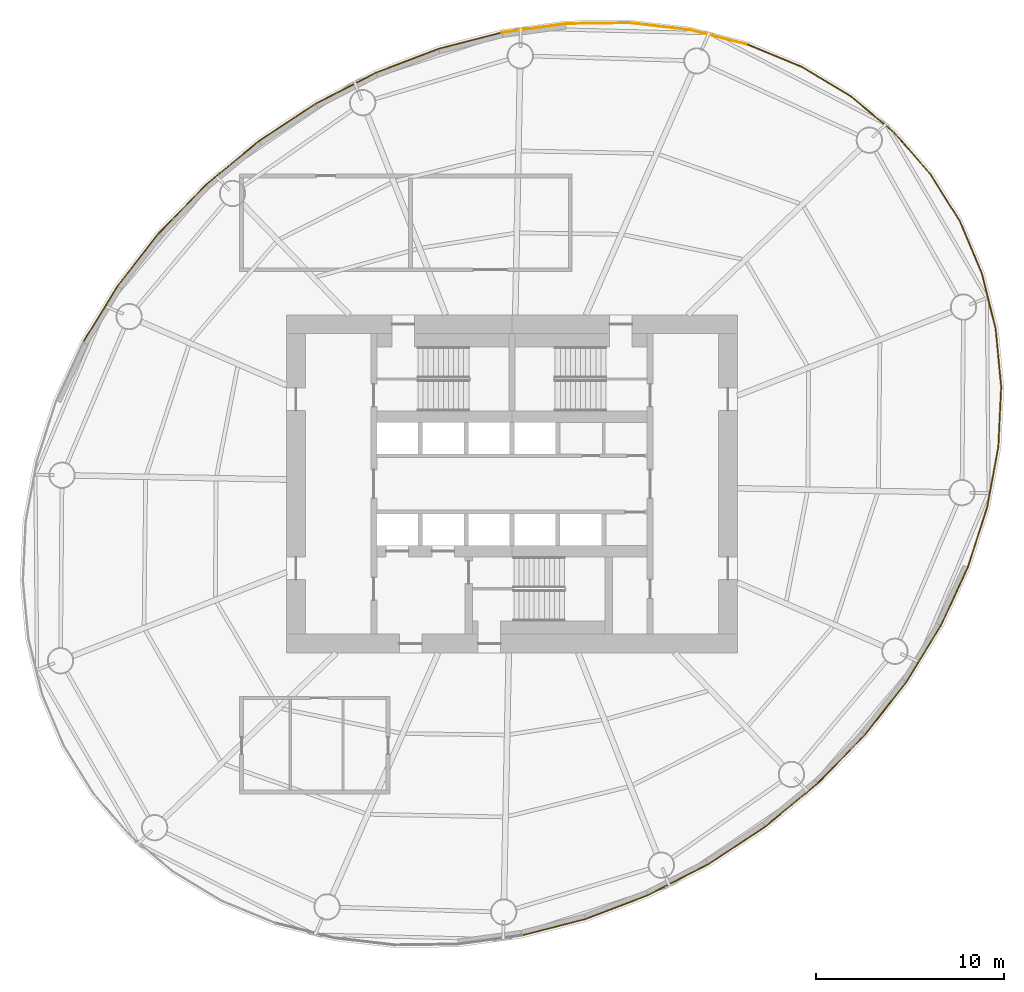
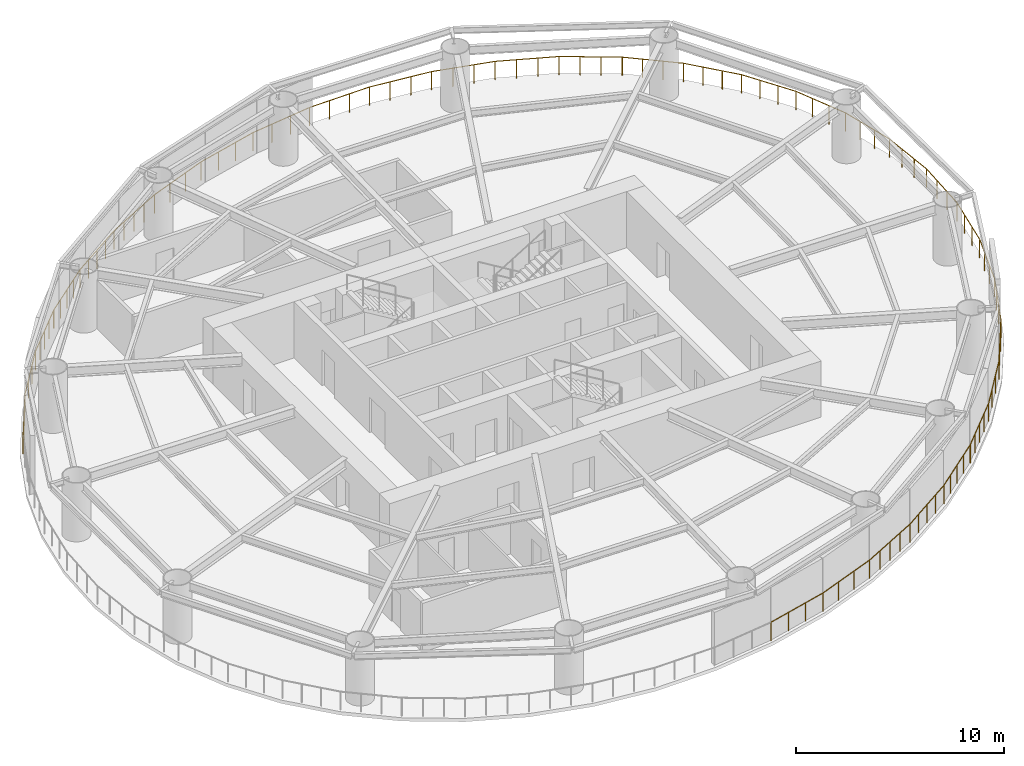
# One storey, part 8 of 8: 8 railings.
"""IFC4 building model written with IfcOpenShell, lengths in metres."""

from ifc_helpers import new_model, si_unit, direction, frame, origin, origin_2d, place, context, subcontext, project, spatial, circle, extrude, material, type_object, element, save


model = new_model("IFC4")

# Units and contexts
model_context = context("Model", 3, precision=1e-05, world=origin(), true_north=direction((0.0, 1.0)))
body_context = subcontext(model_context, "Body", "Model", "MODEL_VIEW")
ifc_project = project(units=[si_unit("LENGTHUNIT", "METRE"), si_unit("AREAUNIT", "SQUARE_METRE"), si_unit("VOLUMEUNIT", "CUBIC_METRE"), si_unit("PLANEANGLEUNIT", "RADIAN"), si_unit("MASSUNIT", "GRAM", prefix="KILO")], contexts=[model_context])

# Site, building, storey
site_placement = place(None, origin())
site = spatial("IfcSite", under=ifc_project, at=site_placement, CompositionType="ELEMENT")
building_placement = place(site_placement, origin())
building = spatial("IfcBuilding", under=site, at=building_placement, Name="Vermilion Reach Broadcast Tower", CompositionType="ELEMENT")
storey_placement = place(building_placement, frame((0.0, 0.0, 179.39990234375)))
storey = spatial("IfcBuildingStorey", under=building, at=storey_placement, Name="L43", CompositionType="ELEMENT", Elevation=179.39990234375)

# Railings
ifc_material = material(Name="Steel guardrail with stainless infill", Category="steel")
railing_type = type_object("IfcRailingType", Name="Open floor guardrail 1100", PredefinedType="GUARDRAIL", material=ifc_material)
railing_1_placement = place(storey_placement, frame((16.28955078125, 16.4814453125, 0.0)))
element("IfcRailing", 1, at=railing_1_placement, inside=storey, type_object=railing_type, Name="sp.rail.L43.00", PredefinedType="GUARDRAIL", context=body_context, shape_type="SweptSolid", body=[
    extrude(circle(Radius=0.02490234375, at=origin_2d()), frame((0.0, 0.0, 1.0751953125), z_axis=(-0.656708283858, 0.754144700911, 0.0), x_axis=(-0.754144700911, -0.656708283858, 0.0)), (0.0, 0.0, 1.0), 2.966796875),
    extrude(circle(Radius=0.02490234375, at=origin_2d()), frame((-1.9482421875, 2.2373046875, 1.0751953125), z_axis=(-0.767444767207, 0.641115067118, 0.0), x_axis=(-0.641115067118, -0.767444767207, 0.0)), (0.0, 0.0, 1.0), 2.99169921875),
    extrude(circle(Radius=0.02490234375, at=origin_2d()), frame((-4.244140625, 4.1552734375, 1.0751953125), z_axis=(-0.857010586447, 0.515298801393, 0.0), x_axis=(-0.515298801393, -0.857010586447, 0.0)), (0.0, 0.0, 1.0), 3.039306640625),
    extrude(circle(Radius=0.02490234375, at=origin_2d()), frame((-6.848876953125, 5.721435546875, 1.0751953125), z_axis=(-0.924025452494, 0.382330960221, 0.0), x_axis=(-0.382330960221, -0.924025452494, 0.0)), (0.0, 0.0, 1.0), 3.105224609375),
    extrude(circle(Radius=0.02490234375, at=origin_2d()), origin(), (0.0, 0.0, 1.0), 1.050048828125),
    extrude(circle(Radius=0.02490234375, at=origin_2d()), frame((-0.6494140625, 0.745849609375, 0.0)), (0.0, 0.0, 1.0), 1.050048828125),
    extrude(circle(Radius=0.02490234375, at=origin_2d()), frame((-1.298828125, 1.491455078125, 0.0)), (0.0, 0.0, 1.0), 1.050048828125),
    extrude(circle(Radius=0.02490234375, at=origin_2d()), frame((-1.9482421875, 2.2373046875, 0.0)), (0.0, 0.0, 1.0), 1.050048828125),
    extrude(circle(Radius=0.02490234375, at=origin_2d()), frame((-2.713623046875, 2.876708984375, 0.0)), (0.0, 0.0, 1.0), 1.050048828125),
    extrude(circle(Radius=0.02490234375, at=origin_2d()), frame((-3.478759765625, 3.515869140625, 0.0)), (0.0, 0.0, 1.0), 1.050048828125),
    extrude(circle(Radius=0.02490234375, at=origin_2d()), frame((-4.244140625, 4.1552734375, 0.0)), (0.0, 0.0, 1.0), 1.050048828125),
    extrude(circle(Radius=0.02490234375, at=origin_2d()), frame((-5.1123046875, 4.67724609375, 0.0)), (0.0, 0.0, 1.0), 1.050048828125),
    extrude(circle(Radius=0.02490234375, at=origin_2d()), frame((-5.980712890625, 5.199462890625, 0.0)), (0.0, 0.0, 1.0), 1.050048828125),
    extrude(circle(Radius=0.02490234375, at=origin_2d()), frame((-6.848876953125, 5.721435546875, 0.0)), (0.0, 0.0, 1.0), 1.050048828125),
    extrude(circle(Radius=0.02490234375, at=origin_2d()), frame((-7.805419921875, 6.1171875, 0.0)), (0.0, 0.0, 1.0), 1.050048828125),
    extrude(circle(Radius=0.02490234375, at=origin_2d()), frame((-8.76171875, 6.512939453125, 0.0)), (0.0, 0.0, 1.0), 1.050048828125),
    extrude(circle(Radius=0.02490234375, at=origin_2d()), frame((-9.71826171875, 6.90869140625, 0.0)), (0.0, 0.0, 1.0), 1.050048828125),
])
railing_2_placement = place(storey_placement, frame((6.5712890625, 23.39013671875, 0.0)))
element("IfcRailing", 2, at=railing_2_placement, inside=storey, type_object=railing_type, Name="sp.rail.L43.01", PredefinedType="GUARDRAIL", context=body_context, shape_type="SweptSolid", body=[
    extrude(circle(Radius=0.02490234375, at=origin_2d()), frame((0.0, 0.0, 1.0751953125), z_axis=(-0.968907934393, 0.247421532348, 0.0), x_axis=(-0.247421532348, -0.968907934393, 0.0)), (0.0, 0.0, 1.0), 3.184326171875),
    extrude(circle(Radius=0.02490234375, at=origin_2d()), frame((-3.085205078125, 0.787841796875, 1.0751953125), z_axis=(-0.993412531822, 0.11459293878, 0.0), x_axis=(-0.11459293878, -0.993412531822, 0.0)), (0.0, 0.0, 1.0), 3.270263671875),
    extrude(circle(Radius=0.02490234375, at=origin_2d()), frame((-6.333984375, 1.16259765625, 1.0751953125), z_axis=(-0.99990749247, -0.013601709543, 0.0), x_axis=(0.013601709543, -0.99990749247, 0.0)), (0.0, 0.0, 1.0), 3.3564453125),
    extrude(circle(Radius=0.02490234375, at=origin_2d()), frame((-9.690185546875, 1.116943359375, 1.0751953125), z_axis=(-0.990798597171, -0.13534452277, 0.0), x_axis=(0.13534452277, -0.990798597171, 0.0)), (0.0, 0.0, 1.0), 3.438232421875),
    extrude(circle(Radius=0.02490234375, at=origin_2d()), origin(), (0.0, 0.0, 1.0), 1.050048828125),
    extrude(circle(Radius=0.02490234375, at=origin_2d()), frame((-1.0283203125, 0.2626953125, 0.0)), (0.0, 0.0, 1.0), 1.050048828125),
    extrude(circle(Radius=0.02490234375, at=origin_2d()), frame((-2.056884765625, 0.525146484375, 0.0)), (0.0, 0.0, 1.0), 1.050048828125),
    extrude(circle(Radius=0.02490234375, at=origin_2d()), frame((-3.085205078125, 0.787841796875, 0.0)), (0.0, 0.0, 1.0), 1.050048828125),
    extrude(circle(Radius=0.02490234375, at=origin_2d()), frame((-4.168212890625, 0.912841796875, 0.0)), (0.0, 0.0, 1.0), 1.050048828125),
    extrude(circle(Radius=0.02490234375, at=origin_2d()), frame((-5.2509765625, 1.03759765625, 0.0)), (0.0, 0.0, 1.0), 1.050048828125),
    extrude(circle(Radius=0.02490234375, at=origin_2d()), frame((-6.333984375, 1.16259765625, 0.0)), (0.0, 0.0, 1.0), 1.050048828125),
    extrude(circle(Radius=0.02490234375, at=origin_2d()), frame((-7.45263671875, 1.1474609375, 0.0)), (0.0, 0.0, 1.0), 1.050048828125),
    extrude(circle(Radius=0.02490234375, at=origin_2d()), frame((-8.571533203125, 1.132080078125, 0.0)), (0.0, 0.0, 1.0), 1.050048828125),
    extrude(circle(Radius=0.02490234375, at=origin_2d()), frame((-9.690185546875, 1.116943359375, 0.0)), (0.0, 0.0, 1.0), 1.050048828125),
    extrude(circle(Radius=0.02490234375, at=origin_2d()), frame((-10.82568359375, 0.9619140625, 0.0)), (0.0, 0.0, 1.0), 1.050048828125),
    extrude(circle(Radius=0.02490234375, at=origin_2d()), frame((-11.961181640625, 0.806640625, 0.0)), (0.0, 0.0, 1.0), 1.050048828125),
    extrude(circle(Radius=0.02490234375, at=origin_2d()), frame((-13.0966796875, 0.651611328125, 0.0)), (0.0, 0.0, 1.0), 1.050048828125),
])
railing_3_placement = place(storey_placement, frame((-6.525390625, 24.041748046875, 0.0)))
element("IfcRailing", 3, at=railing_3_placement, inside=storey, type_object=railing_type, Name="sp.rail.L43.02", PredefinedType="GUARDRAIL", context=body_context, shape_type="SweptSolid", body=[
    extrude(circle(Radius=0.02490234375, at=origin_2d()), frame((0.0, 0.0, 1.0751953125), z_axis=(-0.968256144221, -0.249960075168, 0.0), x_axis=(0.249960075168, -0.968256144221, 0.0)), (0.0, 0.0, 1.0), 3.50927734375),
    extrude(circle(Radius=0.02490234375, at=origin_2d()), frame((-3.39794921875, -0.877197265625, 1.0751953125), z_axis=(-0.933988020216, -0.357304321402, 0.0), x_axis=(0.357304321402, -0.933988020216, 0.0)), (0.0, 0.0, 1.0), 3.566650390625),
    extrude(circle(Radius=0.02490234375, at=origin_2d()), frame((-6.729248046875, -2.151611328125, 1.0751953125), z_axis=(-0.88922329007, -0.457473431356, 0.0), x_axis=(0.457473431356, -0.88922329007, 0.0)), (0.0, 0.0, 1.0), 3.6064453125),
    extrude(circle(Radius=0.02490234375, at=origin_2d()), frame((-9.936279296875, -3.801513671875, 1.0751953125), z_axis=(-0.834804932335, -0.550545842732, 0.0), x_axis=(0.550545842732, -0.834804932335, 0.0)), (0.0, 0.0, 1.0), 3.626953125),
    extrude(circle(Radius=0.02490234375, at=origin_2d()), origin(), (0.0, 0.0, 1.0), 1.050048828125),
    extrude(circle(Radius=0.02490234375, at=origin_2d()), frame((-1.132568359375, -0.29248046875, 0.0)), (0.0, 0.0, 1.0), 1.050048828125),
    extrude(circle(Radius=0.02490234375, at=origin_2d()), frame((-2.265380859375, -0.584716796875, 0.0)), (0.0, 0.0, 1.0), 1.050048828125),
    extrude(circle(Radius=0.02490234375, at=origin_2d()), frame((-3.39794921875, -0.877197265625, 0.0)), (0.0, 0.0, 1.0), 1.050048828125),
    extrude(circle(Radius=0.02490234375, at=origin_2d()), frame((-4.50830078125, -1.302001953125, 0.0)), (0.0, 0.0, 1.0), 1.050048828125),
    extrude(circle(Radius=0.02490234375, at=origin_2d()), frame((-5.618896484375, -1.726806640625, 0.0)), (0.0, 0.0, 1.0), 1.050048828125),
    extrude(circle(Radius=0.02490234375, at=origin_2d()), frame((-6.729248046875, -2.151611328125, 0.0)), (0.0, 0.0, 1.0), 1.050048828125),
    extrude(circle(Radius=0.02490234375, at=origin_2d()), frame((-7.531005859375, -2.56396484375, 0.0)), (0.0, 0.0, 1.0), 1.050048828125),
    extrude(circle(Radius=0.02490234375, at=origin_2d()), frame((-8.332763671875, -2.9765625, 0.0)), (0.0, 0.0, 1.0), 1.050048828125),
    extrude(circle(Radius=0.02490234375, at=origin_2d()), frame((-9.134521484375, -3.38916015625, 0.0)), (0.0, 0.0, 1.0), 1.050048828125),
    extrude(circle(Radius=0.02490234375, at=origin_2d()), frame((-9.936279296875, -3.801513671875, 0.0)), (0.0, 0.0, 1.0), 1.050048828125),
    extrude(circle(Radius=0.02490234375, at=origin_2d()), frame((-10.693359375, -4.30078125, 0.0)), (0.0, 0.0, 1.0), 1.050048828125),
    extrude(circle(Radius=0.02490234375, at=origin_2d()), frame((-11.4501953125, -4.7998046875, 0.0)), (0.0, 0.0, 1.0), 1.050048828125),
    extrude(circle(Radius=0.02490234375, at=origin_2d()), frame((-12.20703125, -5.299072265625, 0.0)), (0.0, 0.0, 1.0), 1.050048828125),
    extrude(circle(Radius=0.02490234375, at=origin_2d()), frame((-12.964111328125, -5.79833984375, 0.0)), (0.0, 0.0, 1.0), 1.050048828125),
])
railing_4_placement = place(storey_placement, frame((-19.489501953125, 18.243408203125, 0.0)))
element("IfcRailing", 4, at=railing_4_placement, inside=storey, type_object=railing_type, Name="sp.rail.L43.03", PredefinedType="GUARDRAIL", context=body_context, shape_type="SweptSolid", body=[
    extrude(circle(Radius=0.02490234375, at=origin_2d()), frame((0.0, 0.0, 1.0751953125), z_axis=(-0.771022099186, -0.636808387639, 0.0), x_axis=(0.636808387639, -0.771022099186, 0.0)), (0.0, 0.0, 1.0), 3.627197265625),
    extrude(circle(Radius=0.02490234375, at=origin_2d()), frame((-2.796630859375, -2.309814453125, 1.0751953125), z_axis=(-0.697943080839, -0.716153234936, 0.0), x_axis=(0.716153234936, -0.697943080839, 0.0)), (0.0, 0.0, 1.0), 3.6064453125),
    extrude(circle(Radius=0.02490234375, at=origin_2d()), frame((-5.313720703125, -4.892578125, 1.0751953125), z_axis=(-0.615309243105, -0.788285820848, 0.0), x_axis=(0.788285820848, -0.615309243105, 0.0)), (0.0, 0.0, 1.0), 3.566650390625),
    extrude(circle(Radius=0.02490234375, at=origin_2d()), frame((-7.50830078125, -7.7041015625, 1.0751953125), z_axis=(-0.522757785702, -0.852481259318, 0.0), x_axis=(0.852481259318, -0.522757785702, 0.0)), (0.0, 0.0, 1.0), 3.509765625),
    extrude(circle(Radius=0.02490234375, at=origin_2d()), origin(), (0.0, 0.0, 1.0), 1.050048828125),
    extrude(circle(Radius=0.02490234375, at=origin_2d()), frame((-0.69921875, -0.577392578125, 0.0)), (0.0, 0.0, 1.0), 1.050048828125),
    extrude(circle(Radius=0.02490234375, at=origin_2d()), frame((-1.3984375, -1.15478515625, 0.0)), (0.0, 0.0, 1.0), 1.050048828125),
    extrude(circle(Radius=0.02490234375, at=origin_2d()), frame((-2.097412109375, -1.732421875, 0.0)), (0.0, 0.0, 1.0), 1.050048828125),
    extrude(circle(Radius=0.02490234375, at=origin_2d()), frame((-2.796630859375, -2.309814453125, 0.0)), (0.0, 0.0, 1.0), 1.050048828125),
    extrude(circle(Radius=0.02490234375, at=origin_2d()), frame((-3.42578125, -2.95556640625, 0.0)), (0.0, 0.0, 1.0), 1.050048828125),
    extrude(circle(Radius=0.02490234375, at=origin_2d()), frame((-4.05517578125, -3.60107421875, 0.0)), (0.0, 0.0, 1.0), 1.050048828125),
    extrude(circle(Radius=0.02490234375, at=origin_2d()), frame((-4.6845703125, -4.246826171875, 0.0)), (0.0, 0.0, 1.0), 1.050048828125),
    extrude(circle(Radius=0.02490234375, at=origin_2d()), frame((-5.313720703125, -4.892578125, 0.0)), (0.0, 0.0, 1.0), 1.050048828125),
    extrude(circle(Radius=0.02490234375, at=origin_2d()), frame((-6.045166015625, -5.829833984375, 0.0)), (0.0, 0.0, 1.0), 1.050048828125),
    extrude(circle(Radius=0.02490234375, at=origin_2d()), frame((-6.77685546875, -6.766845703125, 0.0)), (0.0, 0.0, 1.0), 1.050048828125),
    extrude(circle(Radius=0.02490234375, at=origin_2d()), frame((-7.50830078125, -7.7041015625, 0.0)), (0.0, 0.0, 1.0), 1.050048828125),
    extrude(circle(Radius=0.02490234375, at=origin_2d()), frame((-8.119873046875, -8.701416015625, 0.0)), (0.0, 0.0, 1.0), 1.050048828125),
    extrude(circle(Radius=0.02490234375, at=origin_2d()), frame((-8.7314453125, -9.69873046875, 0.0)), (0.0, 0.0, 1.0), 1.050048828125),
    extrude(circle(Radius=0.02490234375, at=origin_2d()), frame((-9.343017578125, -10.696044921875, 0.0)), (0.0, 0.0, 1.0), 1.050048828125),
])
railing_5_placement = place(storey_placement, frame((-5.474609375, -24.041748046875, 0.0)))
element("IfcRailing", 5, at=railing_5_placement, inside=storey, type_object=railing_type, Name="sp.rail.L43.08", PredefinedType="GUARDRAIL", context=body_context, shape_type="SweptSolid", body=[
    extrude(circle(Radius=0.02490234375, at=origin_2d()), frame((0.0, 0.0, 1.0751953125), z_axis=(0.968256144221, 0.249960075168, 0.0), x_axis=(-0.249960075168, 0.968256144221, 0.0)), (0.0, 0.0, 1.0), 3.50927734375),
    extrude(circle(Radius=0.02490234375, at=origin_2d()), frame((3.39794921875, 0.877197265625, 1.0751953125), z_axis=(0.933988020216, 0.357304321402, 0.0), x_axis=(-0.357304321402, 0.933988020216, 0.0)), (0.0, 0.0, 1.0), 3.566650390625),
    extrude(circle(Radius=0.02490234375, at=origin_2d()), frame((6.729248046875, 2.151611328125, 1.0751953125), z_axis=(0.88922329007, 0.457473431356, 0.0), x_axis=(-0.457473431356, 0.88922329007, 0.0)), (0.0, 0.0, 1.0), 3.6064453125),
    extrude(circle(Radius=0.02490234375, at=origin_2d()), frame((9.936279296875, 3.801513671875, 1.0751953125), z_axis=(0.834804932335, 0.550545842732, 0.0), x_axis=(-0.550545842732, 0.834804932335, 0.0)), (0.0, 0.0, 1.0), 3.626953125),
    extrude(circle(Radius=0.02490234375, at=origin_2d()), origin(), (0.0, 0.0, 1.0), 1.050048828125),
    extrude(circle(Radius=0.02490234375, at=origin_2d()), frame((1.132568359375, 0.29248046875, 0.0)), (0.0, 0.0, 1.0), 1.050048828125),
    extrude(circle(Radius=0.02490234375, at=origin_2d()), frame((2.265380859375, 0.584716796875, 0.0)), (0.0, 0.0, 1.0), 1.050048828125),
    extrude(circle(Radius=0.02490234375, at=origin_2d()), frame((3.39794921875, 0.877197265625, 0.0)), (0.0, 0.0, 1.0), 1.050048828125),
    extrude(circle(Radius=0.02490234375, at=origin_2d()), frame((4.50830078125, 1.302001953125, 0.0)), (0.0, 0.0, 1.0), 1.050048828125),
    extrude(circle(Radius=0.02490234375, at=origin_2d()), frame((5.618896484375, 1.726806640625, 0.0)), (0.0, 0.0, 1.0), 1.050048828125),
    extrude(circle(Radius=0.02490234375, at=origin_2d()), frame((6.729248046875, 2.151611328125, 0.0)), (0.0, 0.0, 1.0), 1.050048828125),
    extrude(circle(Radius=0.02490234375, at=origin_2d()), frame((7.531005859375, 2.56396484375, 0.0)), (0.0, 0.0, 1.0), 1.050048828125),
    extrude(circle(Radius=0.02490234375, at=origin_2d()), frame((8.332763671875, 2.9765625, 0.0)), (0.0, 0.0, 1.0), 1.050048828125),
    extrude(circle(Radius=0.02490234375, at=origin_2d()), frame((9.134521484375, 3.38916015625, 0.0)), (0.0, 0.0, 1.0), 1.050048828125),
    extrude(circle(Radius=0.02490234375, at=origin_2d()), frame((9.936279296875, 3.801513671875, 0.0)), (0.0, 0.0, 1.0), 1.050048828125),
    extrude(circle(Radius=0.02490234375, at=origin_2d()), frame((10.693359375, 4.30078125, 0.0)), (0.0, 0.0, 1.0), 1.050048828125),
    extrude(circle(Radius=0.02490234375, at=origin_2d()), frame((11.4501953125, 4.7998046875, 0.0)), (0.0, 0.0, 1.0), 1.050048828125),
    extrude(circle(Radius=0.02490234375, at=origin_2d()), frame((12.20703125, 5.299072265625, 0.0)), (0.0, 0.0, 1.0), 1.050048828125),
    extrude(circle(Radius=0.02490234375, at=origin_2d()), frame((12.964111328125, 5.79833984375, 0.0)), (0.0, 0.0, 1.0), 1.050048828125),
])
railing_6_placement = place(storey_placement, frame((7.489501953125, -18.243408203125, 0.0)))
element("IfcRailing", 6, at=railing_6_placement, inside=storey, type_object=railing_type, Name="sp.rail.L43.09", PredefinedType="GUARDRAIL", context=body_context, shape_type="SweptSolid", body=[
    extrude(circle(Radius=0.02490234375, at=origin_2d()), frame((0.0, 0.0, 1.0751953125), z_axis=(0.771022099186, 0.636808387639, 0.0), x_axis=(-0.636808387639, 0.771022099186, 0.0)), (0.0, 0.0, 1.0), 3.627197265625),
    extrude(circle(Radius=0.02490234375, at=origin_2d()), frame((2.796630859375, 2.309814453125, 1.0751953125), z_axis=(0.697943080839, 0.716153234936, 0.0), x_axis=(-0.716153234936, 0.697943080839, 0.0)), (0.0, 0.0, 1.0), 3.6064453125),
    extrude(circle(Radius=0.02490234375, at=origin_2d()), frame((5.313720703125, 4.892578125, 1.0751953125), z_axis=(0.615309243105, 0.788285820848, 0.0), x_axis=(-0.788285820848, 0.615309243105, 0.0)), (0.0, 0.0, 1.0), 3.566650390625),
    extrude(circle(Radius=0.02490234375, at=origin_2d()), frame((7.50830078125, 7.7041015625, 1.0751953125), z_axis=(0.522757785702, 0.852481259318, 0.0), x_axis=(-0.852481259318, 0.522757785702, 0.0)), (0.0, 0.0, 1.0), 3.509765625),
    extrude(circle(Radius=0.02490234375, at=origin_2d()), origin(), (0.0, 0.0, 1.0), 1.050048828125),
    extrude(circle(Radius=0.02490234375, at=origin_2d()), frame((0.69921875, 0.577392578125, 0.0)), (0.0, 0.0, 1.0), 1.050048828125),
    extrude(circle(Radius=0.02490234375, at=origin_2d()), frame((1.3984375, 1.15478515625, 0.0)), (0.0, 0.0, 1.0), 1.050048828125),
    extrude(circle(Radius=0.02490234375, at=origin_2d()), frame((2.097412109375, 1.732421875, 0.0)), (0.0, 0.0, 1.0), 1.050048828125),
    extrude(circle(Radius=0.02490234375, at=origin_2d()), frame((2.796630859375, 2.309814453125, 0.0)), (0.0, 0.0, 1.0), 1.050048828125),
    extrude(circle(Radius=0.02490234375, at=origin_2d()), frame((3.42578125, 2.95556640625, 0.0)), (0.0, 0.0, 1.0), 1.050048828125),
    extrude(circle(Radius=0.02490234375, at=origin_2d()), frame((4.05517578125, 3.60107421875, 0.0)), (0.0, 0.0, 1.0), 1.050048828125),
    extrude(circle(Radius=0.02490234375, at=origin_2d()), frame((4.6845703125, 4.246826171875, 0.0)), (0.0, 0.0, 1.0), 1.050048828125),
    extrude(circle(Radius=0.02490234375, at=origin_2d()), frame((5.313720703125, 4.892578125, 0.0)), (0.0, 0.0, 1.0), 1.050048828125),
    extrude(circle(Radius=0.02490234375, at=origin_2d()), frame((6.045166015625, 5.829833984375, 0.0)), (0.0, 0.0, 1.0), 1.050048828125),
    extrude(circle(Radius=0.02490234375, at=origin_2d()), frame((6.77685546875, 6.766845703125, 0.0)), (0.0, 0.0, 1.0), 1.050048828125),
    extrude(circle(Radius=0.02490234375, at=origin_2d()), frame((7.50830078125, 7.7041015625, 0.0)), (0.0, 0.0, 1.0), 1.050048828125),
    extrude(circle(Radius=0.02490234375, at=origin_2d()), frame((8.119873046875, 8.701416015625, 0.0)), (0.0, 0.0, 1.0), 1.050048828125),
    extrude(circle(Radius=0.02490234375, at=origin_2d()), frame((8.7314453125, 9.69873046875, 0.0)), (0.0, 0.0, 1.0), 1.050048828125),
    extrude(circle(Radius=0.02490234375, at=origin_2d()), frame((9.343017578125, 10.696044921875, 0.0)), (0.0, 0.0, 1.0), 1.050048828125),
])
railing_7_placement = place(storey_placement, frame((16.83251953125, -7.54736328125, 0.0)))
element("IfcRailing", 7, at=railing_7_placement, inside=storey, type_object=railing_type, Name="sp.rail.L43.10", PredefinedType="GUARDRAIL", context=body_context, shape_type="SweptSolid", body=[
    extrude(circle(Radius=0.02490234375, at=origin_2d()), frame((0.0, 0.0, 1.0751953125), z_axis=(0.419706571007, 0.907659845015, 0.0), x_axis=(-0.907659845015, 0.419706571007, 0.0)), (0.0, 0.0, 1.0), 3.437744140625),
    extrude(circle(Radius=0.02490234375, at=origin_2d()), frame((1.44287109375, 3.120361328125, 1.0751953125), z_axis=(0.305976220388, 0.95203915495, 0.0), x_axis=(-0.95203915495, 0.305976220388, 0.0)), (0.0, 0.0, 1.0), 3.356689453125),
    extrude(circle(Radius=0.02490234375, at=origin_2d()), frame((2.469970703125, 6.316162109375, 1.0751953125), z_axis=(0.181650780619, 0.983363103793, 0.0), x_axis=(-0.983363103793, 0.181650780619, 0.0)), (0.0, 0.0, 1.0), 3.27001953125),
    extrude(circle(Radius=0.02490234375, at=origin_2d()), frame((3.06396484375, 9.53173828125, 1.0751953125), z_axis=(0.047383010356, 0.998876794369, 0.0), x_axis=(-0.998876794369, 0.047383010356, 0.0)), (0.0, 0.0, 1.0), 3.184326171875),
    extrude(circle(Radius=0.02490234375, at=origin_2d()), origin(), (0.0, 0.0, 1.0), 1.050048828125),
    extrude(circle(Radius=0.02490234375, at=origin_2d()), frame((0.48095703125, 1.0400390625, 0.0)), (0.0, 0.0, 1.0), 1.050048828125),
    extrude(circle(Radius=0.02490234375, at=origin_2d()), frame((0.9619140625, 2.080322265625, 0.0)), (0.0, 0.0, 1.0), 1.050048828125),
    extrude(circle(Radius=0.02490234375, at=origin_2d()), frame((1.44287109375, 3.120361328125, 0.0)), (0.0, 0.0, 1.0), 1.050048828125),
    extrude(circle(Radius=0.02490234375, at=origin_2d()), frame((1.78515625, 4.185546875, 0.0)), (0.0, 0.0, 1.0), 1.050048828125),
    extrude(circle(Radius=0.02490234375, at=origin_2d()), frame((2.127685546875, 5.2509765625, 0.0)), (0.0, 0.0, 1.0), 1.050048828125),
    extrude(circle(Radius=0.02490234375, at=origin_2d()), frame((2.469970703125, 6.316162109375, 0.0)), (0.0, 0.0, 1.0), 1.050048828125),
    extrude(circle(Radius=0.02490234375, at=origin_2d()), frame((2.66796875, 7.387939453125, 0.0)), (0.0, 0.0, 1.0), 1.050048828125),
    extrude(circle(Radius=0.02490234375, at=origin_2d()), frame((2.865966796875, 8.4599609375, 0.0)), (0.0, 0.0, 1.0), 1.050048828125),
    extrude(circle(Radius=0.02490234375, at=origin_2d()), frame((3.06396484375, 9.53173828125, 0.0)), (0.0, 0.0, 1.0), 1.050048828125),
    extrude(circle(Radius=0.02490234375, at=origin_2d()), frame((3.1142578125, 10.592041015625, 0.0)), (0.0, 0.0, 1.0), 1.050048828125),
    extrude(circle(Radius=0.02490234375, at=origin_2d()), frame((3.16455078125, 11.652099609375, 0.0)), (0.0, 0.0, 1.0), 1.050048828125),
    extrude(circle(Radius=0.02490234375, at=origin_2d()), frame((3.21484375, 12.71240234375, 0.0)), (0.0, 0.0, 1.0), 1.050048828125),
])
railing_8_placement = place(storey_placement, frame((20.04736328125, 5.1650390625, 0.0)))
element("IfcRailing", 8, at=railing_8_placement, inside=storey, type_object=railing_type, Name="sp.rail.L43.11", PredefinedType="GUARDRAIL", context=body_context, shape_type="SweptSolid", body=[
    extrude(circle(Radius=0.02490234375, at=origin_2d()), frame((0.0, 0.0, 1.0751953125), z_axis=(-0.094809092628, 0.995495472594, 0.0), x_axis=(-0.995495472594, -0.094809092628, 0.0)), (0.0, 0.0, 1.0), 3.10546875),
    extrude(circle(Radius=0.02490234375, at=origin_2d()), frame((-0.29443359375, 3.091552734375, 1.0751953125), z_axis=(-0.241552638056, 0.970387717898, 0.0), x_axis=(-0.970387717898, -0.241552638056, 0.0)), (0.0, 0.0, 1.0), 3.039306640625),
    extrude(circle(Radius=0.02490234375, at=origin_2d()), frame((-1.028564453125, 6.040771484375, 1.0751953125), z_axis=(-0.388129966431, 0.921604649054, 0.0), x_axis=(-0.921604649054, -0.388129966431, 0.0)), (0.0, 0.0, 1.0), 2.99169921875),
    extrude(circle(Radius=0.02490234375, at=origin_2d()), frame((-2.189697265625, 8.7978515625, 1.0751953125), z_axis=(-0.528548382849, 0.848903178806, 0.0), x_axis=(-0.848903178806, -0.528548382849, 0.0)), (0.0, 0.0, 1.0), 2.966796875),
    extrude(circle(Radius=0.02490234375, at=origin_2d()), origin(), (0.0, 0.0, 1.0), 1.050048828125),
    extrude(circle(Radius=0.02490234375, at=origin_2d()), frame((-0.09814453125, 1.030517578125, 0.0)), (0.0, 0.0, 1.0), 1.050048828125),
    extrude(circle(Radius=0.02490234375, at=origin_2d()), frame((-0.1962890625, 2.06103515625, 0.0)), (0.0, 0.0, 1.0), 1.050048828125),
    extrude(circle(Radius=0.02490234375, at=origin_2d()), frame((-0.29443359375, 3.091552734375, 0.0)), (0.0, 0.0, 1.0), 1.050048828125),
    extrude(circle(Radius=0.02490234375, at=origin_2d()), frame((-0.5390625, 4.07470703125, 0.0)), (0.0, 0.0, 1.0), 1.050048828125),
    extrude(circle(Radius=0.02490234375, at=origin_2d()), frame((-0.783935546875, 5.0576171875, 0.0)), (0.0, 0.0, 1.0), 1.050048828125),
    extrude(circle(Radius=0.02490234375, at=origin_2d()), frame((-1.028564453125, 6.040771484375, 0.0)), (0.0, 0.0, 1.0), 1.050048828125),
    extrude(circle(Radius=0.02490234375, at=origin_2d()), frame((-1.41552734375, 6.959716796875, 0.0)), (0.0, 0.0, 1.0), 1.050048828125),
    extrude(circle(Radius=0.02490234375, at=origin_2d()), frame((-1.802734375, 7.87890625, 0.0)), (0.0, 0.0, 1.0), 1.050048828125),
    extrude(circle(Radius=0.02490234375, at=origin_2d()), frame((-2.189697265625, 8.7978515625, 0.0)), (0.0, 0.0, 1.0), 1.050048828125),
    extrude(circle(Radius=0.02490234375, at=origin_2d()), frame((-2.71240234375, 9.637451171875, 0.0)), (0.0, 0.0, 1.0), 1.050048828125),
    extrude(circle(Radius=0.02490234375, at=origin_2d()), frame((-3.235107421875, 10.476806640625, 0.0)), (0.0, 0.0, 1.0), 1.050048828125),
    extrude(circle(Radius=0.02490234375, at=origin_2d()), frame((-3.7578125, 11.31640625, 0.0)), (0.0, 0.0, 1.0), 1.050048828125),
])

save(model, "model.ifc")
